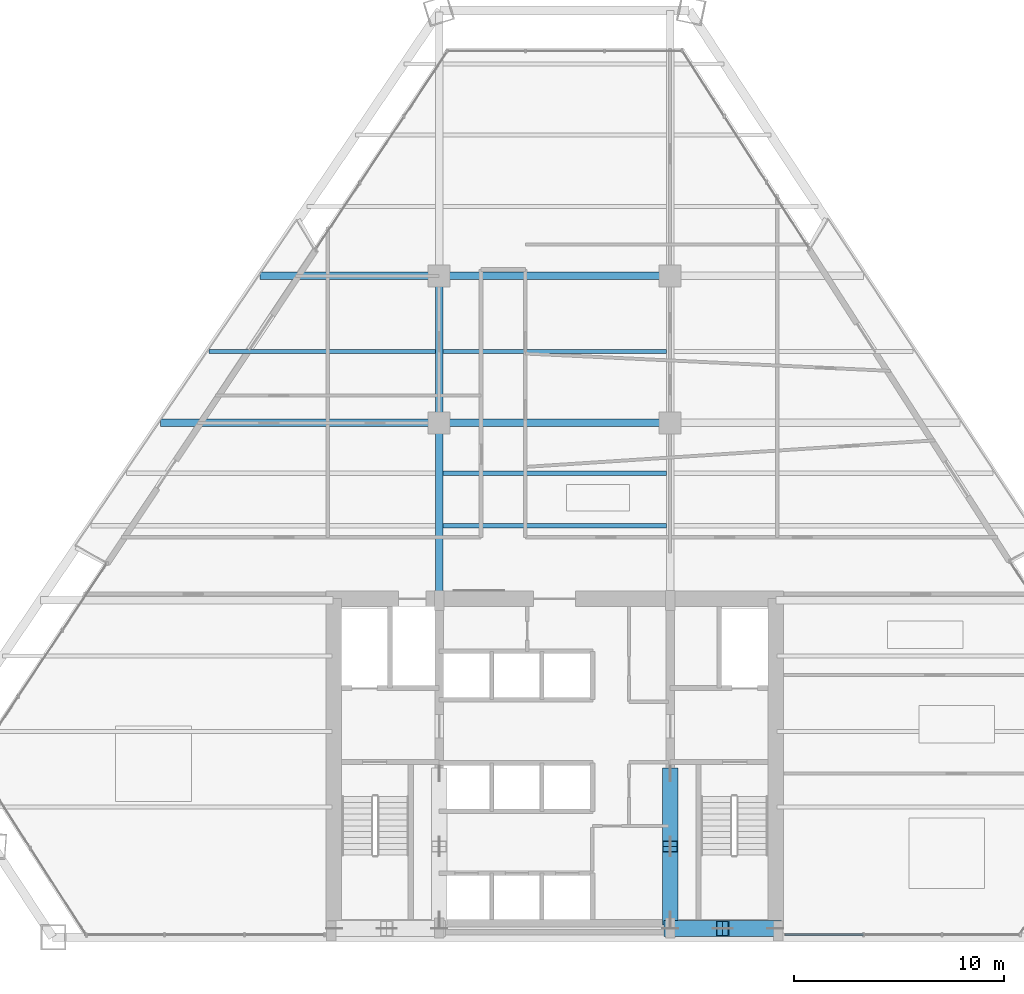
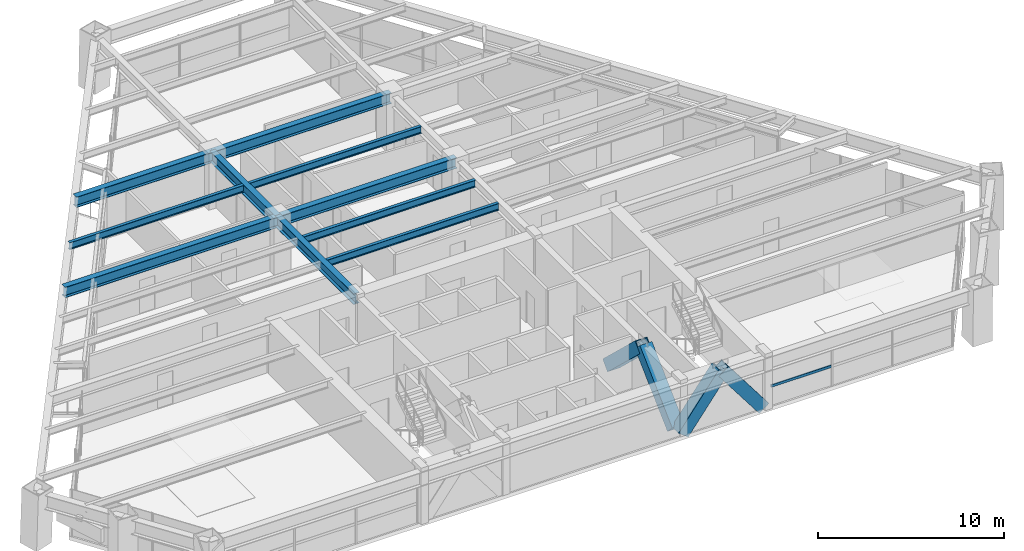
# One storey, part 5 of 14: 10 beams, 5 members, 1 element without a shape of its own.
"""IFC4 building model written with IfcOpenShell, lengths in metres."""

from ifc_helpers import new_model, si_unit, direction, frame, origin, origin_2d, place, context, subcontext, project, spatial, rectangle, hollow_rectangle, i_section, extrude, source, transform, mapped, material, material_profile, profile_set, type_object, type_shapes, element, aggregate, save


model = new_model("IFC4")

# Units and contexts
model_context = context("Model", 3, precision=1e-05, world=origin(), true_north=direction((0.0, 1.0)))
body_context = subcontext(model_context, "Body", "Model", "MODEL_VIEW")
ifc_project = project(units=[si_unit("LENGTHUNIT", "METRE"), si_unit("AREAUNIT", "SQUARE_METRE"), si_unit("VOLUMEUNIT", "CUBIC_METRE"), si_unit("PLANEANGLEUNIT", "RADIAN"), si_unit("MASSUNIT", "GRAM", prefix="KILO")], contexts=[model_context])

# Site, building, storey
site_placement = place(None, origin())
site = spatial("IfcSite", under=ifc_project, at=site_placement, CompositionType="ELEMENT")
building_placement = place(site_placement, origin())
building = spatial("IfcBuilding", under=site, at=building_placement, Name="Varnakhor Terracotta Tower", CompositionType="ELEMENT")
storey_placement = place(building_placement, frame((0.0, 0.0, 113.60009765625)))
storey = spatial("IfcBuildingStorey", under=building, at=storey_placement, Name="L28", CompositionType="ELEMENT", Elevation=113.60009765625)

# Beams
ifc_material_1 = material(Name="Steel S355", Category="steel")
ifc_material_profile_1 = material_profile(ifc_material_1, i_section(OverallWidth=0.35498046875, OverallDepth=0.695068359375, WebThickness=0.014892578125, FlangeThickness=0.02490234375, FilletRadius=0.01806640625, at=origin_2d()), Name="W27X146")
ifc_profile_set_1 = profile_set([ifc_material_profile_1], Name="Steel S355")
beam_type_1 = type_object("IfcBeamType", Name="BM-W27X146", PredefinedType="BEAM", material=ifc_profile_set_1)
shared_shape_1 = source(origin(), body_context, "Body", "SweptSolid", [
    extrude(i_section(OverallWidth=0.35498046875, OverallDepth=0.695068359375, WebThickness=0.014892578125, FlangeThickness=0.02490234375, FilletRadius=0.01806640625, at=origin_2d()), origin(), (0.0, 0.0, 1.0), 8.449951171875),
])
type_shapes(beam_type_1, [shared_shape_1])
beam_1_placement = place(storey_placement, frame((-5.5, 16.050048828125, 3.102294921875), z_axis=(0.0, 1.0, 0.0), x_axis=(-1.0, 0.0, 0.0)))
element("IfcBeam", 1, at=beam_1_placement, inside=storey, type_object=beam_type_1, Name="L28 Primary Girder NS1-W", PredefinedType="BEAM", context=body_context, shape_type="MappedRepresentation", body=[
    mapped(shared_shape_1, transform((0.0, 0.0, 0.0), scale=1.0)),
])
shared_shape_2 = source(origin(), body_context, "Body", "SweptSolid", [
    extrude(i_section(OverallWidth=0.35498046875, OverallDepth=0.695068359375, WebThickness=0.014892578125, FlangeThickness=0.02490234375, FilletRadius=0.01806640625, at=origin_2d()), origin(), (0.0, 0.0, 1.0), 7.0),
])
beam_2_placement = place(storey_placement, frame((-5.5, 24.5, 3.102294921875), z_axis=(0.0, 1.0, 0.0), x_axis=(-1.0, 0.0, 0.0)))
element("IfcBeam", 2, at=beam_2_placement, inside=storey, type_object=beam_type_1, Name="L28 Primary Girder NS2-W", PredefinedType="BEAM", context=body_context, shape_type="MappedRepresentation", body=[
    mapped(shared_shape_2, transform((0.0, 0.0, 0.0), scale=1.0)),
])
shared_shape_3 = source(origin(), body_context, "Body", "SweptSolid", [
    extrude(i_section(OverallWidth=0.35498046875, OverallDepth=0.695068359375, WebThickness=0.014892578125, FlangeThickness=0.02490234375, FilletRadius=0.01806640625, at=origin_2d()), origin(), (0.0, 0.0, 1.0), 11.0),
])
for number, where, z_axis, x_axis, name in (
    (3, (-5.5, 24.5, 3.102294921875), (1.0, 0.0, 0.0), (0.0, 1.0, 0.0), "L28 Primary Girder EW2-2"),
    (4, (-5.5, 31.5, 3.102294921875), (1.0, 0.0, 0.0), (0.0, 1.0, 0.0), "L28 Primary Girder EW3-2"),
):
    element("IfcBeam", number, at=place(storey_placement, frame(where, z_axis=z_axis, x_axis=x_axis)), inside=storey, type_object=beam_type_1, Name=name, PredefinedType="BEAM", context=body_context, shape_type="MappedRepresentation", body=[
        mapped(shared_shape_3, transform((0.0, 0.0, 0.0), scale=1.0)),
    ])
ifc_material_profile_2 = material_profile(ifc_material_1, i_section(OverallWidth=0.19189453125, OverallDepth=0.462890625, WebThickness=0.010498046875, FlangeThickness=0.017578125, FilletRadius=0.01806640625, at=origin_2d()), Name="W18X60")
ifc_profile_set_2 = profile_set([ifc_material_profile_2], Name="Steel S355")
beam_type_2 = type_object("IfcBeamType", Name="JST-W18X60", PredefinedType="JOIST", material=ifc_profile_set_2)
shared_shape_4 = source(origin(), body_context, "Body", "SweptSolid", [
    extrude(i_section(OverallWidth=0.19189453125, OverallDepth=0.462890625, WebThickness=0.010498046875, FlangeThickness=0.017578125, FilletRadius=0.01806640625, at=origin_2d()), origin(), (0.0, 0.0, 1.0), 10.65283203125),
])
for number, where, z_axis, x_axis, name in (
    (5, (-5.326416015625, 19.60009765625, 3.218505859375), (1.0, 0.0, 0.0), (0.0, 1.0, 0.0), "L28 Composite Floor Joist 4-2"),
    (6, (-5.326416015625, 22.10009765625, 3.218505859375), (1.0, 0.0, 0.0), (0.0, 1.0, 0.0), "L28 Composite Floor Joist 5-2"),
    (7, (-5.326416015625, 27.89990234375, 3.218505859375), (1.0, 0.0, 0.0), (0.0, 1.0, 0.0), "L28 Composite Floor Joist 6-2"),
):
    element("IfcBeam", number, at=place(storey_placement, frame(where, z_axis=z_axis, x_axis=x_axis)), inside=storey, type_object=beam_type_2, Name=name, PredefinedType="JOIST", context=body_context, shape_type="MappedRepresentation", body=[
        mapped(shared_shape_4, transform((0.0, 0.0, 0.0), scale=1.0)),
    ])

# Members
ifc_material_2 = material(Name="Steel S460", Category="steel")
ifc_material_profile_3 = material_profile(ifc_material_2, hollow_rectangle(XDim=0.75, YDim=0.75, WallThickness=0.044921875, at=origin_2d()), Name="HSS750X750X45")
ifc_profile_set_3 = profile_set([ifc_material_profile_3], Name="Steel S460")
member_type_1 = type_object("IfcMemberType", Name="MBR-MEGA-750", PredefinedType="BRACE", material=ifc_profile_set_3)
shared_shape_5 = source(origin(), body_context, "Body", "SweptSolid", [
    extrude(hollow_rectangle(XDim=0.75, YDim=0.75, WallThickness=0.044921875, at=origin_2d()), origin(), (0.0, 0.0, 1.0), 4.792236328125),
])
member_1_placement = place(storey_placement, frame((5.5, 7.800048828125, 0.0), z_axis=(0.0, -0.72515968173, 0.688580740359), x_axis=(1.0, 0.0, 0.0)))
element("IfcMember", 8, at=member_1_placement, inside=storey, type_object=member_type_1, Name="L28 Core Coupled Brace CWEB", PredefinedType="BRACE", context=body_context, shape_type="MappedRepresentation", body=[
    mapped(shared_shape_5, transform((0.0, 0.0, 0.0), scale=1.0)),
])
shared_shape_6 = source(origin(), body_context, "Body", "SweptSolid", [
    extrude(hollow_rectangle(XDim=0.75, YDim=0.75, WallThickness=0.044921875, at=origin_2d()), origin(), (0.0, 0.0, 1.0), 4.139892578125),
])
for number, where, z_axis, x_axis, name in (
    (9, (5.5, 0.419921875, 0.0), (0.603880396023, 0.0, 0.797074944594), (0.0, 1.0, 0.0), "L28 Core Coupled Brace CSEA"),
    (10, (10.5, 0.419921875, 0.0), (-0.603880396023, 0.0, 0.797074944594), (0.0, -1.0, 0.0), "L28 Core Coupled Brace CSEB"),
):
    element("IfcMember", number, at=place(storey_placement, frame(where, z_axis=z_axis, x_axis=x_axis)), inside=storey, type_object=member_type_1, Name=name, PredefinedType="BRACE", context=body_context, shape_type="MappedRepresentation", body=[
        mapped(shared_shape_6, transform((0.0, 0.0, 0.0), scale=1.0)),
    ])
shared_shape_7 = source(origin(), body_context, "Body", "SweptSolid", [
    extrude(hollow_rectangle(XDim=0.75, YDim=0.75, WallThickness=0.044921875, at=origin_2d()), origin(), (0.0, 0.0, 1.0), 4.7919921875),
])
member_2_placement = place(storey_placement, frame((5.5, 0.85009765625, 0.0), z_axis=(0.0, 0.725135524869, 0.688606179592), x_axis=(-1.0, 0.0, 0.0)))
element("IfcMember", 11, at=member_2_placement, inside=storey, type_object=member_type_1, Name="L28 Core Coupled Brace CWEA", PredefinedType="BRACE", context=body_context, shape_type="MappedRepresentation", body=[
    mapped(shared_shape_7, transform((0.0, 0.0, 0.0), scale=1.0)),
])

# Beams
shared_shape_8 = source(origin(), body_context, "Body", "SweptSolid", [
    extrude(i_section(OverallWidth=0.35498046875, OverallDepth=0.695068359375, WebThickness=0.014892578125, FlangeThickness=0.02490234375, FilletRadius=0.01806640625, at=origin_2d()), origin(), (0.0, 0.0, 1.0), 13.26806640625),
])
beam_3_placement = place(storey_placement, frame((-18.76806640625, 24.5, 3.102294921875), z_axis=(1.0, 0.0, 0.0), x_axis=(0.0, 1.0, 0.0)))
element("IfcBeam", 12, at=beam_3_placement, inside=storey, type_object=beam_type_1, Name="L28 Primary Girder EW2-1", PredefinedType="BEAM", context=body_context, shape_type="MappedRepresentation", body=[
    mapped(shared_shape_8, transform((0.0, 0.0, 0.0), scale=1.0)),
])
shared_shape_9 = source(origin(), body_context, "Body", "SweptSolid", [
    extrude(i_section(OverallWidth=0.35498046875, OverallDepth=0.695068359375, WebThickness=0.014892578125, FlangeThickness=0.02490234375, FilletRadius=0.01806640625, at=origin_2d()), origin(), (0.0, 0.0, 1.0), 8.52197265625),
])
beam_4_placement = place(storey_placement, frame((-14.02197265625, 31.5, 3.102294921875), z_axis=(1.0, 0.0, 0.0), x_axis=(0.0, 1.0, 0.0)))
element("IfcBeam", 13, at=beam_4_placement, inside=storey, type_object=beam_type_1, Name="L28 Primary Girder EW3-1", PredefinedType="BEAM", context=body_context, shape_type="MappedRepresentation", body=[
    mapped(shared_shape_9, transform((0.0, 0.0, 0.0), scale=1.0)),
])
shared_shape_10 = source(origin(), body_context, "Body", "SweptSolid", [
    extrude(i_section(OverallWidth=0.19189453125, OverallDepth=0.462890625, WebThickness=0.010498046875, FlangeThickness=0.017578125, FilletRadius=0.01806640625, at=origin_2d()), origin(), (0.0, 0.0, 1.0), 10.789306640625),
])
beam_5_placement = place(storey_placement, frame((-16.462890625, 27.89990234375, 3.218505859375), z_axis=(1.0, 0.0, 0.0), x_axis=(0.0, 1.0, 0.0)))
element("IfcBeam", 14, at=beam_5_placement, inside=storey, type_object=beam_type_2, Name="L28 Composite Floor Joist 6-1", PredefinedType="JOIST", context=body_context, shape_type="MappedRepresentation", body=[
    mapped(shared_shape_10, transform((0.0, 0.0, 0.0), scale=1.0)),
])

# Curtain wall, member
ifc_material_3 = material(Name="Anodised Aluminium Curtain Wall System", Category="aluminium")
curtain_wall_type = type_object("IfcCurtainWallType", Name="CW-SYS-LOW-OFFICE", PredefinedType="NOTDEFINED", material=ifc_material_3)
curtain_wall_placement = place(storey_placement, origin())
curtain_wall = element("IfcCurtainWall", 15, at=curtain_wall_placement, inside=storey, type_object=curtain_wall_type, Name="L28 South Wing Curtain Wall SSE", PredefinedType="NOTDEFINED")
ifc_material_4 = material(Name="Anodised Aluminium 6063-T6", Category="aluminium")
ifc_material_profile_4 = material_profile(ifc_material_4, rectangle(XDim=0.074951171875, YDim=0.1650390625, at=origin_2d()), Name="ALU TRANSOM 75x165")
ifc_profile_set_4 = profile_set([ifc_material_profile_4], Name="Anodised Aluminium 6063-T6")
member_type_2 = type_object("IfcMemberType", Name="CWT-02", PredefinedType="USERDEFINED", material=ifc_profile_set_4)
shared_shape_11 = source(origin(), body_context, "Body", "SweptSolid", [
    extrude(rectangle(XDim=0.074951171875, YDim=0.1650390625, at=origin_2d()), origin(), (0.0, 0.0, 1.0), 3.735107421875),
])
member_3_placement = place(storey_placement, frame((14.705078125, 0.1201171875, 1.2724609375), z_axis=(-1.0, 0.0, 0.0), x_axis=(0.0, -1.0, 0.0)))
member_3 = element("IfcMember", 16, at=member_3_placement, type_object=member_type_2, Name="L28 South Wing Curtain Wall SSE Transom 3", ObjectType="TRANSOM", PredefinedType="USERDEFINED", context=body_context, shape_type="MappedRepresentation", body=[
    mapped(shared_shape_11, transform((0.0, 0.0, 0.0), scale=1.0)),
])
aggregate(curtain_wall, [member_3])

save(model, "model.ifc")
